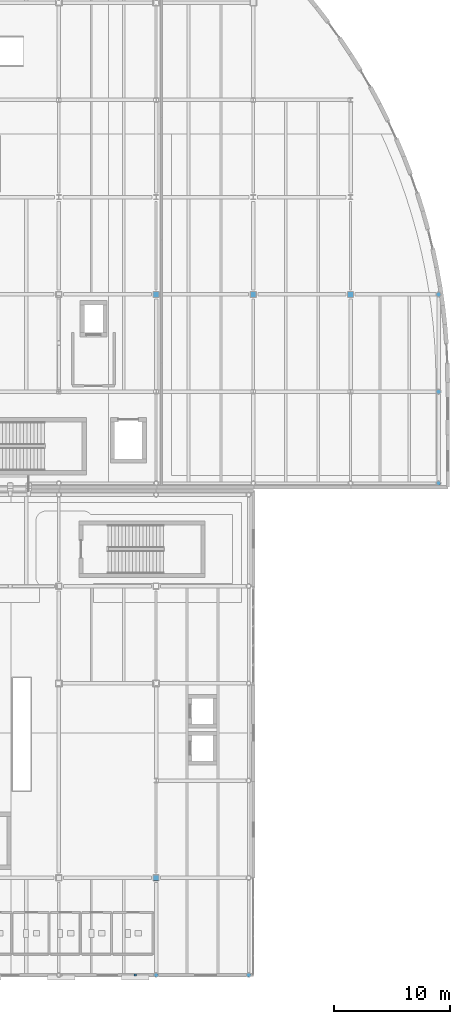
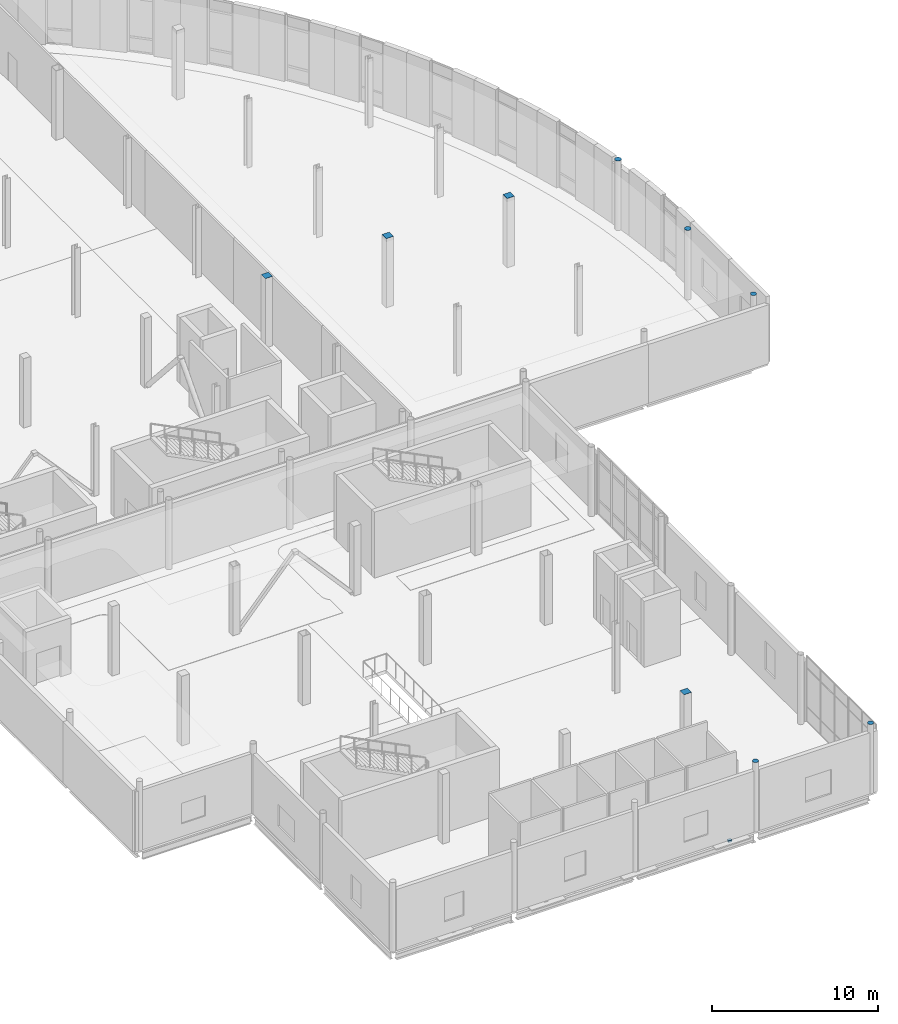
# One storey, part 84 of 104: 10 discrete accessories.
"""IFC4 building model written with IfcOpenShell, lengths in metres."""

from ifc_helpers import new_model, si_unit, direction, frame, origin, origin_2d, place, context, subcontext, project, spatial, rectangle, circle, extrude, material, type_object, element, save


model = new_model("IFC4")

# Units and contexts
model_context = context("Model", 3, precision=1e-05, world=origin(), true_north=direction((0.0, 1.0)))
body_context = subcontext(model_context, "Body", "Model", "MODEL_VIEW")
ifc_project = project(units=[si_unit("LENGTHUNIT", "METRE"), si_unit("AREAUNIT", "SQUARE_METRE"), si_unit("VOLUMEUNIT", "CUBIC_METRE"), si_unit("PLANEANGLEUNIT", "RADIAN"), si_unit("MASSUNIT", "GRAM", prefix="KILO"), si_unit("THERMODYNAMICTEMPERATUREUNIT", "KELVIN")], contexts=[model_context])

# Site, building, storey
site_placement = place(None, origin())
site = spatial("IfcSite", under=ifc_project, at=site_placement, CompositionType="ELEMENT")
building_placement = place(site_placement, origin())
building = spatial("IfcBuilding", under=site, at=building_placement, Name="Lustrewick Department Store", CompositionType="ELEMENT")
storey_placement = place(building_placement, frame((0.0, 0.0, 11.39990234375)))
storey = spatial("IfcBuildingStorey", under=building, at=storey_placement, Name="L03", CompositionType="ELEMENT", Elevation=11.39990234375)

# Discrete accessories
ifc_material_1 = material(Name="Anodized filigree aluminium 6061-T6", Category="aluminium")
discrete_accessory_type_1 = type_object("IfcDiscreteAccessoryType", Name="BRK-FIL", PredefinedType="BRACKET", material=ifc_material_1)
discrete_accessory_1_placement = place(storey_placement, frame((141.0, 8.39990234375, -0.18994140625), z_axis=(0.0, 0.0, 1.0), x_axis=(1.0, 0.0, 0.0)))
element("IfcDiscreteAccessory", 1, at=discrete_accessory_1_placement, inside=storey, type_object=discrete_accessory_type_1, Name="L03 Sun Louvre Bracket 08", PredefinedType="BRACKET", context=body_context, shape_type="SweptSolid", body=[
    extrude(rectangle(XDim=0.239990234375, YDim=0.199951171875, at=origin_2d()), origin(), (0.0, 0.0, 1.0), 0.139892578125),
])
ifc_material_2 = material(Name="Structural steel Q355C", Category="steel")
discrete_accessory_type_2 = type_object("IfcDiscreteAccessoryType", Name="ECP-01", PredefinedType="USERDEFINED", material=ifc_material_2)
for number, where, z_axis, x_axis, name in (
    (2, (150.800048828125, 8.39990234375, 5.093994140625), (0.0, 0.0, 1.0), (1.0, 0.0, 0.0), "L03 Welded Hollow-Section End-Cap Plate ECP-01"),
    (3, (142.800048828125, 8.39990234375, 5.093994140625), (0.0, 0.0, 1.0), (1.0, 0.0, 0.0), "L03 Welded Hollow-Section End-Cap Plate ECP-01"),
):
    element("IfcDiscreteAccessory", number, at=place(storey_placement, frame(where, z_axis=z_axis, x_axis=x_axis)), inside=storey, type_object=discrete_accessory_type_2, Name=name, ObjectType="END_CAP_PLATE", PredefinedType="USERDEFINED", context=body_context, shape_type="SweptSolid", body=[
        extrude(circle(Radius=0.1884765625, at=origin_2d()), origin(), (0.0, 0.0, 1.0), 0.01611328125),
    ])
discrete_accessory_2_placement = place(storey_placement, frame((167.199951171875, 67.199951171875, 5.093994140625), z_axis=(0.0, 0.0, 1.0), x_axis=(1.0, 0.0, 0.0)))
element("IfcDiscreteAccessory", 4, at=discrete_accessory_2_placement, inside=storey, type_object=discrete_accessory_type_2, Name="L03 Welded Hollow-Section End-Cap Plate ECP-01", ObjectType="END_CAP_PLATE", PredefinedType="USERDEFINED", context=body_context, shape_type="SweptSolid", body=[
    extrude(circle(Radius=0.202880859375, at=origin_2d()), origin(), (0.0, 0.0, 1.0), 0.01611328125),
])
discrete_accessory_3_placement = place(storey_placement, frame((167.199951171875, 50.89990234375, 5.093994140625), z_axis=(0.0, 0.0, 1.0), x_axis=(1.0, 0.0, 0.0)))
element("IfcDiscreteAccessory", 5, at=discrete_accessory_3_placement, inside=storey, type_object=discrete_accessory_type_2, Name="L03 Welded Hollow-Section End-Cap Plate ECP-01", ObjectType="END_CAP_PLATE", PredefinedType="USERDEFINED", context=body_context, shape_type="SweptSolid", body=[
    extrude(circle(Radius=0.1884765625, at=origin_2d()), origin(), (0.0, 0.0, 1.0), 0.01611328125),
])
discrete_accessory_4_placement = place(storey_placement, frame((142.800048828125, 67.199951171875, 5.093994140625), z_axis=(0.0, 0.0, 1.0), x_axis=(1.0, 0.0, 0.0)))
element("IfcDiscreteAccessory", 6, at=discrete_accessory_4_placement, inside=storey, type_object=discrete_accessory_type_2, Name="L03 Welded Hollow-Section End-Cap Plate ECP-01", ObjectType="END_CAP_PLATE", PredefinedType="USERDEFINED", context=body_context, shape_type="SweptSolid", body=[
    extrude(rectangle(XDim=0.5, YDim=0.5, at=origin_2d()), origin(), (0.0, 0.0, 1.0), 0.01611328125),
])
discrete_accessory_5_placement = place(storey_placement, frame((167.199951171875, 58.800048828125, 5.093994140625), z_axis=(0.0, 0.0, 1.0), x_axis=(1.0, 0.0, 0.0)))
element("IfcDiscreteAccessory", 7, at=discrete_accessory_5_placement, inside=storey, type_object=discrete_accessory_type_2, Name="L03 Welded Hollow-Section End-Cap Plate ECP-01", ObjectType="END_CAP_PLATE", PredefinedType="USERDEFINED", context=body_context, shape_type="SweptSolid", body=[
    extrude(circle(Radius=0.202880859375, at=origin_2d()), origin(), (0.0, 0.0, 1.0), 0.01611328125),
])
for number, where, z_axis, x_axis, name in (
    (8, (142.800048828125, 16.800048828125, 5.093994140625), (0.0, 0.0, 1.0), (1.0, 0.0, 0.0), "L03 Welded Hollow-Section End-Cap Plate ECP-01"),
    (9, (151.199951171875, 67.199951171875, 5.093994140625), (0.0, 0.0, 1.0), (1.0, 0.0, 0.0), "L03 Welded Hollow-Section End-Cap Plate ECP-01"),
    (10, (159.60009765625, 67.199951171875, 5.093994140625), (0.0, 0.0, 1.0), (1.0, 0.0, 0.0), "L03 Welded Hollow-Section End-Cap Plate ECP-01"),
):
    element("IfcDiscreteAccessory", number, at=place(storey_placement, frame(where, z_axis=z_axis, x_axis=x_axis)), inside=storey, type_object=discrete_accessory_type_2, Name=name, ObjectType="END_CAP_PLATE", PredefinedType="USERDEFINED", context=body_context, shape_type="SweptSolid", body=[
        extrude(rectangle(XDim=0.5, YDim=0.5, at=origin_2d()), origin(), (0.0, 0.0, 1.0), 0.01611328125),
    ])

save(model, "model.ifc")
